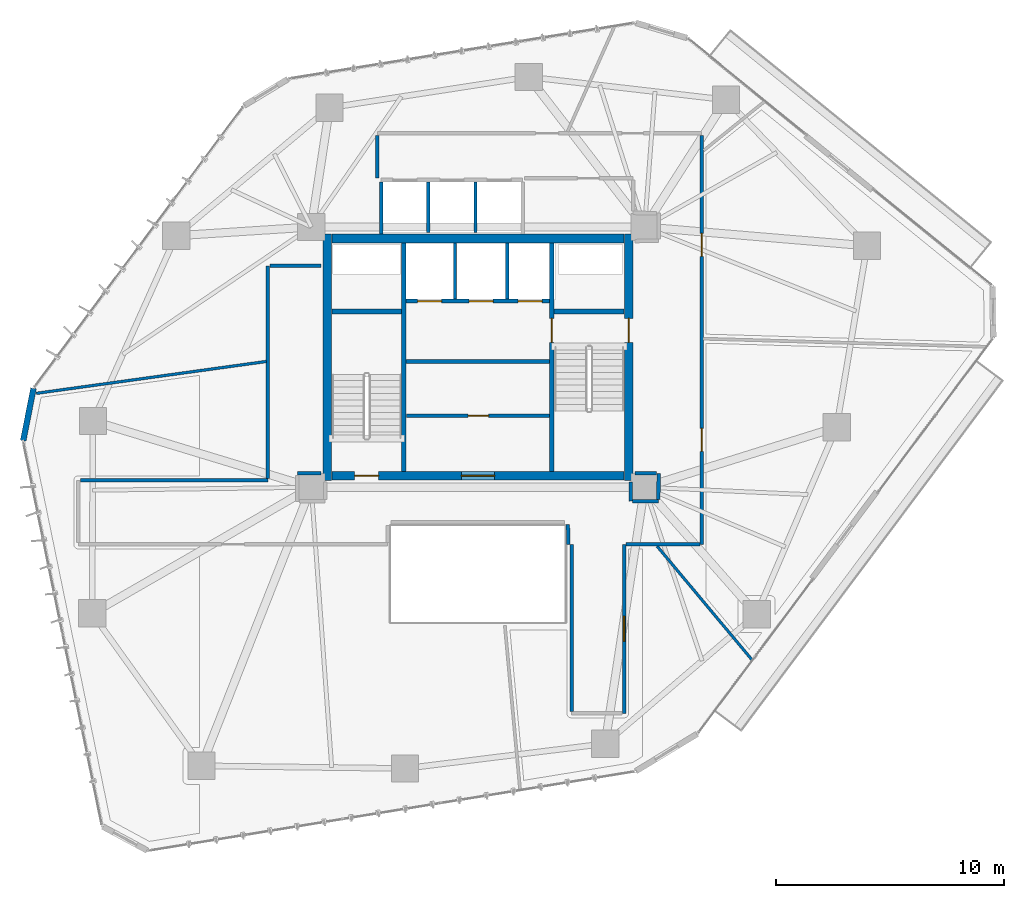
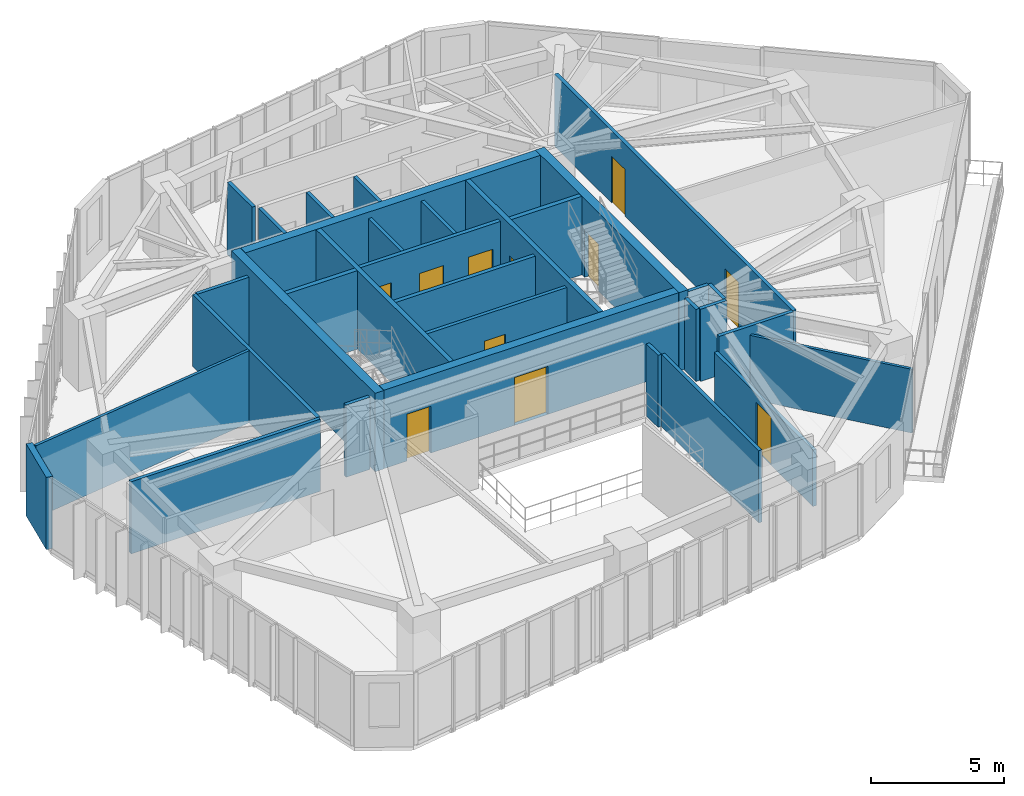
# One storey, part 18 of 23: 33 walls, 11 doors, 11 openings.
"""IFC4 building model written with IfcOpenShell, lengths in metres."""

import ifcopenshell
import ifcopenshell.guid

model = None  # the IFC model being written
_history = None  # IfcOwnerHistory: only IFC2X3 demands one
_inside = {}  # id of a spatial element -> (the spatial element, [elements in it])
_under = {}  # id of a project, library or spatial element -> (it, [spatial elements below it])
_declared = {}  # id of a project -> (the project, [libraries it declares])
_typed = {}  # id of a type object -> (the type object, [elements of that type])
_made_of = {}  # id of a material, layer set ... -> (it, [elements and type objects made of it])


def new_model(schema):
    """Start an empty IFC model of exactly this schema.

    Asked for "IFC4X3", IfcOpenShell would pick the latest addendum, in which some entities
    have other attributes; the version numbers below select the first issue.
    IFC2X3 requires an IfcOwnerHistory on every rooted entity: one is made here for all.
    """
    global model, _history
    if schema == "IFC4X3":
        model = ifcopenshell.file(schema_version=(4, 3, 0, 0))
    else:
        model = ifcopenshell.file(schema=schema)
    _inside.clear()
    _under.clear()
    _declared.clear()
    _typed.clear()
    _made_of.clear()
    _history = None
    if model.schema == "IFC2X3":
        org = make("IfcOrganization", Name="unknown")
        user = make(
            "IfcPersonAndOrganization",
            ThePerson=make("IfcPerson", FamilyName="unknown"),
            TheOrganization=org,
        )
        app = make(
            "IfcApplication",
            ApplicationDeveloper=org,
            Version="unknown",
            ApplicationFullName="unknown",
            ApplicationIdentifier="unknown",
        )
        _history = make(
            "IfcOwnerHistory",
            OwningUser=user,
            OwningApplication=app,
            ChangeAction="ADDED",
            CreationDate=0,
        )
    return model


def make(cls, **values):
    """One entity of the class cls with the attributes given. An attribute that is None is left unset."""
    return model.create_entity(
        cls, **{name: value for name, value in values.items() if value is not None}
    )


def rooted(cls, **values):
    """An entity with a GlobalId (a new one), such as an element, a storey or a relation."""
    return make(cls, GlobalId=ifcopenshell.guid.new(), OwnerHistory=_history, **values)


def si_unit(unit_type, name, prefix=None):
    """IfcSIUnit, for example si_unit("LENGTHUNIT", "METRE", prefix="MILLI")."""
    return make("IfcSIUnit", UnitType=unit_type, Prefix=prefix, Name=name)


def assignment(units):
    """IfcUnitAssignment: the units of a project."""
    return None if units is None else make("IfcUnitAssignment", Units=units)


def point(xyz):
    """IfcCartesianPoint."""
    return None if xyz is None else make("IfcCartesianPoint", Coordinates=xyz)


def direction(xyz):
    """IfcDirection."""
    return None if xyz is None else make("IfcDirection", DirectionRatios=xyz)


def frame(location, z_axis=None, x_axis=None):
    """IfcAxis2Placement3D, a coordinate frame: its origin and axes. An axis left out is left unset."""
    return make(
        "IfcAxis2Placement3D",
        Location=point(location),
        Axis=direction(z_axis),
        RefDirection=direction(x_axis),
    )


def frame_2d(location, x_axis=None):
    """IfcAxis2Placement2D, a coordinate frame in the plane: its origin and x axis."""
    return make(
        "IfcAxis2Placement2D", Location=point(location), RefDirection=direction(x_axis)
    )


def origin():
    """The frame at (0, 0, 0) with its axes left unset."""
    return frame((0.0, 0.0, 0.0))


def place(relative_to, where):
    """IfcLocalPlacement: puts the frame where relative to a parent placement (None: the world)."""
    return make(
        "IfcLocalPlacement", PlacementRelTo=relative_to, RelativePlacement=where
    )


def context(
    kind, dimensions, precision=None, world=None, true_north=None, identifier=None
):
    """IfcGeometricRepresentationContext, for example the 3D "Model" context."""
    return make(
        "IfcGeometricRepresentationContext",
        ContextIdentifier=identifier,
        ContextType=kind,
        CoordinateSpaceDimension=dimensions,
        Precision=precision,
        WorldCoordinateSystem=world,
        TrueNorth=true_north,
    )


def subcontext(parent, identifier, kind, view, scale=None):
    """IfcGeometricRepresentationSubContext, for example "Body" below "Model"."""
    return make(
        "IfcGeometricRepresentationSubContext",
        ContextIdentifier=identifier,
        ContextType=kind,
        ParentContext=parent,
        TargetScale=scale,
        TargetView=view,
    )


def project(units=None, contexts=None):
    """IfcProject with its units and contexts."""
    return rooted(
        "IfcProject",
        Name="project",
        RepresentationContexts=contexts,
        UnitsInContext=assignment(units),
    )


def spatial(cls, under=None, at=None, **own):
    """A site, building, storey or space (cls), placed at a placement, below another one or the project."""
    s = rooted(cls, ObjectPlacement=at, **own)
    if under is not None:
        _under.setdefault(under.id(), (under, []))[1].append(s)
    return s


def profile(cls, at=None, kind="AREA", **sizes):
    """A parametric profile (cls). Its sizes go by their IFC names, for example OverallWidth=200.0."""
    return make(cls, ProfileType=kind, Position=at, **sizes)


def rectangle(**sizes):
    """IfcRectangleProfileDef."""
    return profile("IfcRectangleProfileDef", **sizes)


def extrude(swept, where, along, depth):
    """IfcExtrudedAreaSolid: the profile swept, set in the frame where, extruded along a direction by depth."""
    return make(
        "IfcExtrudedAreaSolid",
        SweptArea=swept,
        Position=where,
        ExtrudedDirection=direction(along),
        Depth=depth,
    )


def shape(context_of_items, identifier, shape_type, items):
    """IfcShapeRepresentation: the items that make up one representation, for example the "Body"."""
    return make(
        "IfcShapeRepresentation",
        ContextOfItems=context_of_items,
        RepresentationIdentifier=identifier,
        RepresentationType=shape_type,
        Items=items,
    )


def source(mapping_origin, context_of_items, identifier, shape_type, items):
    """IfcRepresentationMap: a shape defined once, which mapped items show again and again."""
    return make(
        "IfcRepresentationMap",
        MappingOrigin=mapping_origin,
        MappedRepresentation=shape(context_of_items, identifier, shape_type, items),
    )


def transform(
    local_origin,
    x_axis=None,
    y_axis=None,
    z_axis=None,
    scale=None,
    scale2=None,
    scale3=None,
    uniform=True,
):
    """IfcCartesianTransformationOperator3D, or its non-uniform kind. x_axis, y_axis, z_axis: its Axis1, 2, 3."""
    if uniform:
        return make(
            "IfcCartesianTransformationOperator3D",
            Axis1=direction(x_axis),
            Axis2=direction(y_axis),
            LocalOrigin=point(local_origin),
            Scale=scale,
            Axis3=direction(z_axis),
        )
    return make(
        "IfcCartesianTransformationOperator3DnonUniform",
        Axis1=direction(x_axis),
        Axis2=direction(y_axis),
        LocalOrigin=point(local_origin),
        Scale=scale,
        Axis3=direction(z_axis),
        Scale2=scale2,
        Scale3=scale3,
    )


def mapped(mapping_source, mapping_target):
    """IfcMappedItem: shows the shape of a source again, moved by a transform."""
    return make(
        "IfcMappedItem", MappingSource=mapping_source, MappingTarget=mapping_target
    )


def material(Name=None, Category=None):
    """IfcMaterial."""
    return make("IfcMaterial", Name=Name, Category=Category)


def layer(
    of_material, thickness, ventilated=None, Name=None, Category=None, Priority=None
):
    """IfcMaterialLayer: one layer of a wall or slab, of a material (None: an air gap)."""
    return make(
        "IfcMaterialLayer",
        Material=of_material,
        LayerThickness=thickness,
        IsVentilated=ventilated,
        Name=Name,
        Category=Category,
        Priority=Priority,
    )


def layer_set(layers, Name=None):
    """IfcMaterialLayerSet."""
    return make("IfcMaterialLayerSet", MaterialLayers=layers, LayerSetName=Name)


def made_of(thing, what):
    """Note that an element or type object is made of a material, layer set ...; save() writes the relation."""
    if what is not None:
        _made_of.setdefault(what.id(), (what, []))[1].append(thing)
    return thing


def type_object(cls, material=None, **own):
    """A type object (cls), such as IfcWallType, which elements share."""
    return made_of(rooted(cls, **own), material)


def type_shapes(of_type, sources):
    """Give a type object the sources (RepresentationMaps) that its elements show as mapped items."""
    of_type.RepresentationMaps = sources


def element(
    cls,
    number,
    at=None,
    inside=None,
    cuts=None,
    type_object=None,
    material=None,
    context=None,
    identifier="Body",
    shape_type=None,
    held_by="IfcProductDefinitionShape",
    body=None,
    shapes=None,
    **own,
):
    """One element of the class cls, such as IfcWall. Its Tag is "e" and its number.

    at: its placement. inside: the storey or other place that contains it. cuts: it is an
    opening in that element (IfcRelVoidsElement). A single representation is given by context,
    identifier, shape_type and body (its items); several are given by shapes. held_by: the class
    of the entity that holds the representations. save() writes the other relations.
    """
    e = rooted(cls, Tag="e%d" % number, ObjectPlacement=at, **own)
    if body is not None:
        shapes = [shape(context, identifier, shape_type, body)]
    if shapes is not None:
        e.Representation = make(held_by, Representations=shapes)
    if inside is not None:
        _inside.setdefault(inside.id(), (inside, []))[1].append(e)
    if cuts is not None:
        rooted(
            "IfcRelVoidsElement", RelatingBuildingElement=cuts, RelatedOpeningElement=e
        )
    if type_object is not None:
        _typed.setdefault(type_object.id(), (type_object, []))[1].append(e)
    return made_of(e, material)


def fill(opening, filler):
    """IfcRelFillsElement: the door or window that sits in an opening."""
    return rooted(
        "IfcRelFillsElement",
        RelatingOpeningElement=opening,
        RelatedBuildingElement=filler,
    )


def aggregate(whole, parts):
    """IfcRelAggregates: a whole, such as a stair, and the parts it consists of."""
    return rooted("IfcRelAggregates", RelatingObject=whole, RelatedObjects=parts)


def save(model, path):
    """Write the relations noted so far, then the file.

    IfcRelAggregates (storeys below a building ...), IfcRelContainedInSpatialStructure (elements
    in a storey), IfcRelDefinesByType, IfcRelAssociatesMaterial and IfcRelDeclares: one each for
    every whole, place, type object, material and project.
    """
    for whole, parts in _under.values():
        aggregate(whole, parts)
    for where, things in _inside.values():
        rooted(
            "IfcRelContainedInSpatialStructure",
            RelatedElements=things,
            RelatingStructure=where,
        )
    for kind, things in _typed.values():
        rooted("IfcRelDefinesByType", RelatedObjects=things, RelatingType=kind)
    for what, things in _made_of.values():
        rooted("IfcRelAssociatesMaterial", RelatedObjects=things, RelatingMaterial=what)
    for by, libraries in _declared.values():
        rooted("IfcRelDeclares", RelatingContext=by, RelatedDefinitions=libraries)
    model.write(path)


model = new_model("IFC4")

# Units and contexts
model_context = context("Model", 3, precision=1e-05, world=origin(), true_north=direction((0.0, 1.0)))
body_context = subcontext(model_context, "Body", "Model", "MODEL_VIEW")
ifc_project = project(units=[si_unit("LENGTHUNIT", "METRE"), si_unit("AREAUNIT", "SQUARE_METRE"), si_unit("VOLUMEUNIT", "CUBIC_METRE"), si_unit("PLANEANGLEUNIT", "RADIAN"), si_unit("MASSUNIT", "GRAM", prefix="KILO")], contexts=[model_context])

# Site, building, storey
site_placement = place(None, origin())
site = spatial("IfcSite", under=ifc_project, at=site_placement, CompositionType="ELEMENT")
building_placement = place(site_placement, origin())
building = spatial("IfcBuilding", under=site, at=building_placement, Name="Talar Marvaseh", CompositionType="ELEMENT")
storey_placement = place(building_placement, frame((0.0, 0.0, 118.199951171875)))
storey = spatial("IfcBuildingStorey", under=building, at=storey_placement, Name="L30", CompositionType="ELEMENT", Elevation=118.199951171875)

# Wall
ifc_material_1 = material(Name="Precast concrete C45/55", Category="concrete")
ifc_layer_1 = layer(ifc_material_1, 0.2548828125)
ifc_layer_set_1 = layer_set([ifc_layer_1], Name="Precast concrete C45/55")
wall_type_1 = type_object("IfcWallType", Name="Chamfered Hexagonal Corner Pier Wall Z2 255", PredefinedType="SOLIDWALL", material=ifc_layer_set_1)
wall_1_placement = place(storey_placement, frame((6.082763671875, 27.539306640625, 0.0), z_axis=(0.0, 0.0, 1.0), x_axis=(0.192845725608, 0.981229089517, 0.0)))
element("IfcWall", 1, at=wall_1_placement, inside=storey, type_object=wall_type_1, Name="L30 Chamfered Corner Limestone Pier 2", PredefinedType="SOLIDWALL", context=body_context, shape_type="SweptSolid", body=[
    extrude(rectangle(XDim=2.3408203125, YDim=0.2548828125, at=frame_2d((1.17041015625, 0.0))), origin(), (0.0, 0.0, 1.0), 3.31005859375),
])

# Wall, opening, door
ifc_material_2 = material(Name="Gypsum Board Partition Assembly")
ifc_layer_2 = layer(ifc_material_2, 0.155029296875)
ifc_layer_set_2 = layer_set([ifc_layer_2], Name="Gypsum Board Partition Assembly")
wall_type_2 = type_object("IfcWallType", Name="Corridor Fire-Rated Acoustic Partition 155", PredefinedType="PARTITIONING", material=ifc_layer_set_2)
wall_2_placement = place(storey_placement, frame((22.865966796875, 28.639892578125, 0.0), z_axis=(0.0, 0.0, 1.0), x_axis=(1.0, 0.0, 0.0)))
wall_2 = element("IfcWall", 2, at=wall_2_placement, inside=storey, type_object=wall_type_2, Name="L30 Core BOH Partition", PredefinedType="PARTITIONING", context=body_context, shape_type="SweptSolid", body=[
    extrude(rectangle(XDim=6.26806640625, YDim=0.155029296875, at=frame_2d((3.134033203125, 0.0))), origin(), (0.0, 0.0, 1.0), 3.31005859375),
])
opening_1_placement = place(wall_2_placement, frame((2.699951171875, 0.0, 0.0)))
opening_1 = element("IfcOpeningElement", 3, at=opening_1_placement, cuts=wall_2, Name="Opening DR-BOH090", PredefinedType="OPENING", context=body_context, shape_type="SweptSolid", body=[
    extrude(rectangle(XDim=0.89990234375, YDim=2.10009765625, at=frame_2d((0.449951171875, 1.050048828125))), frame((0.0, 0.08740234375, 0.0), z_axis=(0.0, -1.0, 0.0), x_axis=(1.0, 0.0, 0.0)), (0.0, 0.0, 1.0), 0.175048828125),
])
ifc_material_3 = material(Name="Fire-Rated Steel Door Leaf", Category="steel")
door_type_1 = type_object("IfcDoorType", Name="Core Back-of-House Service Door 900x2100", OperationType="NOTDEFINED", PredefinedType="DOOR", material=ifc_material_3)
shared_shape_1 = source(origin(), body_context, "Body", "SweptSolid", [
    extrude(rectangle(XDim=0.89990234375, YDim=2.10009765625, at=frame_2d((0.449951171875, 1.050048828125))), frame((0.0, 0.02490234375, 0.0), z_axis=(0.0, -1.0, 0.0), x_axis=(1.0, 0.0, 0.0)), (0.0, 0.0, 1.0), 0.050048828125),
])
type_shapes(door_type_1, [shared_shape_1])
door_1_placement = place(opening_1_placement, origin())
door_1 = element("IfcDoor", 4, at=door_1_placement, inside=storey, type_object=door_type_1, Name="L30 Store Core Central Archive Door", OperationType="SINGLE_SWING_LEFT", OverallHeight=2.10009765625, OverallWidth=0.89990234375, PredefinedType="DOOR", context=body_context, shape_type="MappedRepresentation", body=[
    mapped(shared_shape_1, transform((0.0, 0.0, 0.0), x_axis=(1.0, 0.0, 0.0), y_axis=(0.0, 1.0, 0.0), z_axis=(0.0, 0.0, 1.0), scale=1.0)),
])
fill(opening_1, door_1)

# Wall, openings, doors
wall_3_placement = place(storey_placement, frame((35.800048828125, 40.91650390625, 0.0), z_axis=(0.0, 0.0, 1.0), x_axis=(0.0, -1.0, 0.0)))
wall_3 = element("IfcWall", 5, at=wall_3_placement, inside=storey, type_object=wall_type_2, Name="L30 Interior Partition Wall", PredefinedType="PARTITIONING", context=body_context, shape_type="SweptSolid", body=[
    extrude(rectangle(XDim=17.91650390625, YDim=0.155029296875, at=frame_2d((8.958251953125, 0.0))), origin(), (0.0, 0.0, 1.0), 3.31005859375),
])
opening_2_placement = place(wall_3_placement, frame((12.83984375, 0.0, 0.0)))
opening_2 = element("IfcOpeningElement", 6, at=opening_2_placement, cuts=wall_3, Name="Opening DR-RM100", PredefinedType="OPENING", context=body_context, shape_type="SweptSolid", body=[
    extrude(rectangle(XDim=1.0, YDim=2.14990234375, at=frame_2d((0.5, 1.074951171875))), frame((0.0, 0.08740234375, 0.0), z_axis=(0.0, -1.0, 0.0), x_axis=(1.0, 0.0, 0.0)), (0.0, 0.0, 1.0), 0.175048828125),
])
opening_3_placement = place(wall_3_placement, frame((4.29833984375, 0.0, 0.0)))
opening_3 = element("IfcOpeningElement", 7, at=opening_3_placement, cuts=wall_3, Name="Opening DR-RM100", PredefinedType="OPENING", context=body_context, shape_type="SweptSolid", body=[
    extrude(rectangle(XDim=1.0, YDim=2.14990234375, at=frame_2d((0.5, 1.074951171875))), frame((0.0, 0.08740234375, 0.0), z_axis=(0.0, -1.0, 0.0), x_axis=(1.0, 0.0, 0.0)), (0.0, 0.0, 1.0), 0.175048828125),
])
ifc_material_4 = material(Name="Acoustic Engineered Oak Timber", Category="wood")
door_type_2 = type_object("IfcDoorType", Name="Corridor Fire-Rated Gallery Door 1000x2150", OperationType="NOTDEFINED", PredefinedType="DOOR", material=ifc_material_4)
shared_shape_2 = source(origin(), body_context, "Body", "SweptSolid", [
    extrude(rectangle(XDim=1.0, YDim=2.14990234375, at=frame_2d((0.5, 1.074951171875))), frame((0.0, 0.02490234375, 0.0), z_axis=(0.0, -1.0, 0.0), x_axis=(1.0, 0.0, 0.0)), (0.0, 0.0, 1.0), 0.050048828125),
])
type_shapes(door_type_2, [shared_shape_2])
door_2_placement = place(opening_2_placement, origin())
door_2 = element("IfcDoor", 8, at=door_2_placement, inside=storey, type_object=door_type_2, Name="L30 Archival Research Office Door", OperationType="SINGLE_SWING_LEFT", OverallHeight=2.14990234375, OverallWidth=1.0, PredefinedType="DOOR", context=body_context, shape_type="MappedRepresentation", body=[
    mapped(shared_shape_2, transform((0.0, 0.0, 0.0), x_axis=(1.0, 0.0, 0.0), y_axis=(0.0, 1.0, 0.0), z_axis=(0.0, 0.0, 1.0), scale=1.0)),
])
fill(opening_2, door_2)
door_3_placement = place(opening_3_placement, origin())
door_3 = element("IfcDoor", 9, at=door_3_placement, inside=storey, type_object=door_type_2, Name="L30 Visitor Orientation Foyer Door", OperationType="SINGLE_SWING_RIGHT", OverallHeight=2.14990234375, OverallWidth=1.0, PredefinedType="DOOR", context=body_context, shape_type="MappedRepresentation", body=[
    mapped(shared_shape_2, transform((0.0, 0.0, 0.0), x_axis=(1.0, 0.0, 0.0), y_axis=(0.0, 1.0, 0.0), z_axis=(0.0, 0.0, 1.0), scale=1.0)),
])
fill(opening_3, door_3)

# Wall, opening, door
wall_4_placement = place(storey_placement, frame((32.39990234375, 23.0, 0.0), z_axis=(0.0, 0.0, 1.0), x_axis=(0.0, -1.0, 0.0)))
wall_4 = element("IfcWall", 10, at=wall_4_placement, inside=storey, type_object=wall_type_2, Name="L30 Interior Partition Wall", PredefinedType="PARTITIONING", context=body_context, shape_type="SweptSolid", body=[
    extrude(rectangle(XDim=7.39990234375, YDim=0.155029296875, at=frame_2d((3.699951171875, 0.0))), origin(), (0.0, 0.0, 1.0), 2.590087890625),
])
opening_4_placement = place(wall_4_placement, frame((3.14990234375, 0.0, 0.0)))
opening_4 = element("IfcOpeningElement", 11, at=opening_4_placement, cuts=wall_4, Name="Opening DR-RM110", PredefinedType="OPENING", context=body_context, shape_type="SweptSolid", body=[
    extrude(rectangle(XDim=1.10009765625, YDim=2.199951171875, at=frame_2d((0.550048828125, 1.10009765625))), frame((0.0, 0.08740234375, 0.0), z_axis=(0.0, -1.0, 0.0), x_axis=(1.0, 0.0, 0.0)), (0.0, 0.0, 1.0), 0.175048828125),
])
door_type_3 = type_object("IfcDoorType", Name="Assembly and Reading Hall Door 1100x2200", OperationType="NOTDEFINED", PredefinedType="DOOR", material=ifc_material_4)
shared_shape_3 = source(origin(), body_context, "Body", "SweptSolid", [
    extrude(rectangle(XDim=1.10009765625, YDim=2.199951171875, at=frame_2d((0.550048828125, 1.10009765625))), frame((0.0, 0.02490234375, 0.0), z_axis=(0.0, -1.0, 0.0), x_axis=(1.0, 0.0, 0.0)), (0.0, 0.0, 1.0), 0.050048828125),
])
type_shapes(door_type_3, [shared_shape_3])
door_4_placement = place(opening_4_placement, origin())
door_4 = element("IfcDoor", 12, at=door_4_placement, inside=storey, type_object=door_type_3, Name="L30 Gallery Concierge Reception Door", OperationType="SINGLE_SWING_RIGHT", OverallHeight=2.199951171875, OverallWidth=1.10009765625, PredefinedType="DOOR", context=body_context, shape_type="MappedRepresentation", body=[
    mapped(shared_shape_3, transform((0.0, 0.0, 0.0), x_axis=(1.0, 0.0, 0.0), y_axis=(0.0, 1.0, 0.0), z_axis=(0.0, 0.0, 1.0), scale=1.0)),
])
fill(opening_4, door_4)

# Walls
wall_5_placement = place(storey_placement, frame((8.58349609375, 25.800048828125, 0.0), z_axis=(0.0, 0.0, 1.0), x_axis=(1.0, 0.0, 0.0)))
element("IfcWall", 13, at=wall_5_placement, inside=storey, type_object=wall_type_2, Name="L30 Interior Partition Wall", PredefinedType="PARTITIONING", context=body_context, shape_type="SweptSolid", body=[
    extrude(rectangle(XDim=8.216552734375, YDim=0.155029296875, at=frame_2d((4.1083984375, 0.0))), origin(), (0.0, 0.0, 1.0), 3.31005859375),
])
wall_6_placement = place(storey_placement, frame((16.800048828125, 25.883544921875, 0.0), z_axis=(0.0, 0.0, 1.0), x_axis=(0.0, 1.0, 0.0)))
element("IfcWall", 14, at=wall_6_placement, inside=storey, type_object=wall_type_2, Name="L30 Interior Partition Wall", PredefinedType="PARTITIONING", context=body_context, shape_type="SweptSolid", body=[
    extrude(rectangle(XDim=9.31640625, YDim=0.155029296875, at=frame_2d((4.658203125, 0.0))), origin(), (0.0, 0.0, 1.0), 3.31005859375),
])
wall_7_placement = place(storey_placement, frame((16.883544921875, 35.199951171875, 0.0), z_axis=(0.0, 0.0, 1.0), x_axis=(1.0, 0.0, 0.0)))
element("IfcWall", 15, at=wall_7_placement, inside=storey, type_object=wall_type_2, Name="L30 Interior Partition Wall", PredefinedType="PARTITIONING", context=body_context, shape_type="SweptSolid", body=[
    extrude(rectangle(XDim=2.246337890625, YDim=0.155029296875, at=frame_2d((1.123046875, 0.0))), origin(), (0.0, 0.0, 1.0), 3.31005859375),
])
wall_8_placement = place(storey_placement, frame((19.1298828125, 26.114990234375, 0.0), z_axis=(0.0, 0.0, 1.0), x_axis=(-0.999986702653, -0.005156987215, 0.0)))
element("IfcWall", 16, at=wall_8_placement, inside=storey, type_object=wall_type_2, Name="L30 Interior Partition Wall", PredefinedType="PARTITIONING", context=body_context, shape_type="SweptSolid", body=[
    extrude(rectangle(XDim=1.04150390625, YDim=0.155029296875, at=frame_2d((0.520751953125, 0.0))), origin(), (0.0, 0.0, 1.0), 3.31005859375),
])
wall_9_placement = place(storey_placement, frame((32.68505859375, 25.72998046875, 0.0), z_axis=(0.0, 0.0, 1.0), x_axis=(0.006382231486, -0.999979633353, 0.0)))
element("IfcWall", 17, at=wall_9_placement, inside=storey, type_object=wall_type_2, Name="L30 Interior Partition Wall", PredefinedType="PARTITIONING", context=body_context, shape_type="SweptSolid", body=[
    extrude(rectangle(XDim=0.841552734375, YDim=0.155029296875, at=frame_2d((0.4208984375, 0.0))), origin(), (0.0, 0.0, 1.0), 3.31005859375),
])
wall_10_placement = place(storey_placement, frame((32.77392578125, 24.88818359375, 0.0), z_axis=(0.0, 0.0, 1.0), x_axis=(0.999999164303, -0.001292823742, 0.0)))
element("IfcWall", 18, at=wall_10_placement, inside=storey, type_object=wall_type_2, Name="L30 Interior Partition Wall", PredefinedType="PARTITIONING", context=body_context, shape_type="SweptSolid", body=[
    extrude(rectangle(XDim=1.133056640625, YDim=0.155029296875, at=frame_2d((0.56640625, 0.0))), origin(), (0.0, 0.0, 1.0), 3.31005859375),
])
wall_11_placement = place(storey_placement, frame((33.907470703125, 24.97021484375, 0.0), z_axis=(0.0, 0.0, 1.0), x_axis=(0.003642572792, 0.99999336581, 0.0)))
element("IfcWall", 19, at=wall_11_placement, inside=storey, type_object=wall_type_2, Name="L30 Interior Partition Wall", PredefinedType="PARTITIONING", context=body_context, shape_type="SweptSolid", body=[
    extrude(rectangle(XDim=1.139404296875, YDim=0.155029296875, at=frame_2d((0.56982421875, 0.0))), origin(), (0.0, 0.0, 1.0), 3.31005859375),
])
wall_12_placement = place(storey_placement, frame((33.828125, 26.110107421875, 0.0), z_axis=(0.0, 0.0, 1.0), x_axis=(-0.999987011364, 0.005096773758, 0.0)))
element("IfcWall", 20, at=wall_12_placement, inside=storey, type_object=wall_type_2, Name="L30 Interior Partition Wall", PredefinedType="PARTITIONING", context=body_context, shape_type="SweptSolid", body=[
    extrude(rectangle(XDim=0.9580078125, YDim=0.155029296875, at=frame_2d((0.47900390625, 0.0))), origin(), (0.0, 0.0, 1.0), 3.31005859375),
])
wall_13_placement = place(storey_placement, frame((21.60009765625, 39.0400390625, 0.0), z_axis=(0.0, 0.0, 1.0), x_axis=(0.0, 1.0, 0.0)))
element("IfcWall", 21, at=wall_13_placement, inside=storey, type_object=wall_type_2, Name="L30 Interior Partition Wall", PredefinedType="PARTITIONING", context=body_context, shape_type="SweptSolid", body=[
    extrude(rectangle(XDim=1.87646484375, YDim=0.155029296875, at=frame_2d((0.938232421875, 0.0))), origin(), (0.0, 0.0, 1.0), 3.31005859375),
])
wall_14_placement = place(storey_placement, frame((35.716552734375, 23.0, 0.0), z_axis=(0.0, 0.0, 1.0), x_axis=(-1.0, 0.0, 0.0)))
element("IfcWall", 22, at=wall_14_placement, inside=storey, type_object=wall_type_2, Name="L30 Interior Partition Wall", PredefinedType="PARTITIONING", context=body_context, shape_type="SweptSolid", body=[
    extrude(rectangle(XDim=3.233154296875, YDim=0.155029296875, at=frame_2d((1.61669921875, 0.0))), origin(), (0.0, 0.0, 1.0), 3.31005859375),
])
wall_15_placement = place(storey_placement, frame((30.10009765625, 15.68359375, 0.0), z_axis=(0.0, 0.0, 1.0), x_axis=(0.0, 1.0, 0.0)))
element("IfcWall", 23, at=wall_15_placement, inside=storey, type_object=wall_type_2, Name="L30 Interior Partition Wall", PredefinedType="PARTITIONING", context=body_context, shape_type="SweptSolid", body=[
    extrude(rectangle(XDim=7.31640625, YDim=0.155029296875, at=frame_2d((3.658203125, 0.0))), origin(), (0.0, 0.0, 1.0), 3.31005859375),
])
wall_16_placement = place(storey_placement, frame((29.9599609375, 23.0, 0.0), z_axis=(0.0, 0.0, 1.0), x_axis=(-0.021467444279, 0.999769547864, 0.0)))
element("IfcWall", 24, at=wall_16_placement, inside=storey, type_object=wall_type_2, Name="L30 Interior Partition Wall", PredefinedType="PARTITIONING", context=body_context, shape_type="SweptSolid", body=[
    extrude(rectangle(XDim=0.875732421875, YDim=0.155029296875, at=frame_2d((0.43798828125, 0.0))), origin(), (0.0, 0.0, 1.0), 3.31005859375),
])
ifc_layer_3 = layer(ifc_material_2, 0.1201171875)
ifc_layer_set_3 = layer_set([ifc_layer_3], Name="Gypsum Board Partition Assembly")
wall_type_3 = type_object("IfcWallType", Name="Demountable Studio Room Partition 120", PredefinedType="PARTITIONING", material=ifc_layer_set_3)
wall_17_placement = place(storey_placement, frame((6.654296875, 29.61376953125, 0.0), z_axis=(0.0, 0.0, 1.0), x_axis=(0.990531909148, 0.137282689949, 0.0)))
element("IfcWall", 25, at=wall_17_placement, inside=storey, type_object=wall_type_3, Name="L30 Interior Partition Wall", PredefinedType="PARTITIONING", context=body_context, shape_type="SweptSolid", body=[
    extrude(rectangle(XDim=10.177734375, YDim=0.1201171875, at=frame_2d((5.0888671875, 0.0))), origin(), (0.0, 0.0, 1.0), 3.31005859375),
])
wall_18_placement = place(storey_placement, frame((33.849853515625, 22.91650390625, 0.0), z_axis=(0.0, 0.0, 1.0), x_axis=(0.641098432869, -0.767458662973, 0.0)))
element("IfcWall", 26, at=wall_18_placement, inside=storey, type_object=wall_type_3, Name="L30 Interior Partition Wall", PredefinedType="PARTITIONING", context=body_context, shape_type="SweptSolid", body=[
    extrude(rectangle(XDim=6.486083984375, YDim=0.1201171875, at=frame_2d((3.2431640625, 0.0))), origin(), (0.0, 0.0, 1.0), 2.927001953125),
])
ifc_layer_4 = layer(ifc_material_1, 0.14501953125)
ifc_layer_set_4 = layer_set([ifc_layer_4], Name="Precast concrete C45/55")
wall_type_4 = type_object("IfcWallType", Name="Fire-Rated Lift Divider Wall 145", PredefinedType="SOLIDWALL", material=ifc_layer_set_4)
for number, where, z_axis, x_axis, name in (
    (27, (25.0, 33.743408203125, 0.0), (0.0, 0.0, 1.0), (0.0, 1.0, 0.0), "L30 FFL-1/FFL-2 Divider"),
    (28, (27.280029296875, 33.743408203125, 0.0), (0.0, 0.0, 1.0), (0.0, 1.0, 0.0), "L30 FFL-2/SVL-1 Divider"),
):
    element("IfcWall", number, at=place(storey_placement, frame(where, z_axis=z_axis, x_axis=x_axis)), inside=storey, type_object=wall_type_4, Name=name, PredefinedType="SOLIDWALL", context=body_context, shape_type="SweptSolid", body=[
        extrude(rectangle(XDim=2.45654296875, YDim=0.14501953125, at=frame_2d((1.228271484375, 0.0))), origin(), (0.0, 0.0, 1.0), 3.31005859375),
    ])
wall_19_placement = place(storey_placement, frame((21.760009765625, 36.60009765625, 0.0), z_axis=(0.0, 0.0, 1.0), x_axis=(0.0, 1.0, 0.0)))
element("IfcWall", 29, at=wall_19_placement, inside=storey, type_object=wall_type_4, Name="L30 Low-Rise Bank West Wall", PredefinedType="SOLIDWALL", context=body_context, shape_type="SweptSolid", body=[
    extrude(rectangle(XDim=2.266357421875, YDim=0.14501953125, at=frame_2d((1.13330078125, 0.0))), origin(), (0.0, 0.0, 1.0), 3.31005859375),
])
for number, where, z_axis, x_axis, name in (
    (30, (23.830078125, 36.659912109375, 0.0), (0.0, 0.0, 1.0), (0.0, 1.0, 0.0), "L30 PL-L1/PL-L2 Divider"),
    (31, (25.889892578125, 36.659912109375, 0.0), (0.0, 0.0, 1.0), (0.0, 1.0, 0.0), "L30 PL-L2/PL-L3 Divider"),
):
    element("IfcWall", number, at=place(storey_placement, frame(where, z_axis=z_axis, x_axis=x_axis)), inside=storey, type_object=wall_type_4, Name=name, PredefinedType="SOLIDWALL", context=body_context, shape_type="SweptSolid", body=[
        extrude(rectangle(XDim=2.20654296875, YDim=0.14501953125, at=frame_2d((1.103271484375, 0.0))), origin(), (0.0, 0.0, 1.0), 3.31005859375),
    ])

# Wall, openings, doors
ifc_layer_5 = layer(ifc_material_1, 0.175048828125)
ifc_layer_set_5 = layer_set([ifc_layer_5], Name="Precast concrete C45/55")
wall_type_5 = type_object("IfcWallType", Name="Fire-Rated Lift Hoistway Enclosure Wall 175", PredefinedType="SOLIDWALL", material=ifc_layer_set_5)
wall_20_placement = place(storey_placement, frame((22.860107421875, 33.64990234375, 0.0), z_axis=(0.0, 0.0, 1.0), x_axis=(1.0, 0.0, 0.0)))
wall_20 = element("IfcWall", 32, at=wall_20_placement, inside=storey, type_object=wall_type_5, Name="L30 Firefighting and Service Lift Front Wall", PredefinedType="SOLIDWALL", context=body_context, shape_type="SweptSolid", body=[
    extrude(rectangle(XDim=6.27978515625, YDim=0.175048828125, at=frame_2d((3.139892578125, 0.0))), origin(), (0.0, 0.0, 1.0), 3.31005859375),
])
opening_5_placement = place(wall_20_placement, frame((0.5, 0.0, 0.0)))
opening_5 = element("IfcOpeningElement", 33, at=opening_5_placement, cuts=wall_20, Name="Opening LD-FF1", PredefinedType="OPENING", context=body_context, shape_type="SweptSolid", body=[
    extrude(rectangle(XDim=1.050048828125, YDim=2.14990234375, at=frame_2d((0.52490234375, 1.074951171875))), frame((0.0, 0.09765625, 0.0), z_axis=(0.0, -1.0, 0.0), x_axis=(1.0, 0.0, 0.0)), (0.0, 0.0, 1.0), 0.195068359375),
])
opening_6_placement = place(wall_20_placement, frame((2.760009765625, 0.0, 0.0)))
opening_6 = element("IfcOpeningElement", 34, at=opening_6_placement, cuts=wall_20, Name="Opening LD-FF2", PredefinedType="OPENING", context=body_context, shape_type="SweptSolid", body=[
    extrude(rectangle(XDim=1.050048828125, YDim=2.14990234375, at=frame_2d((0.52490234375, 1.074951171875))), frame((0.0, 0.09765625, 0.0), z_axis=(0.0, -1.0, 0.0), x_axis=(1.0, 0.0, 0.0)), (0.0, 0.0, 1.0), 0.195068359375),
])
opening_7_placement = place(wall_20_placement, frame((4.89990234375, 0.0, 0.0)))
opening_7 = element("IfcOpeningElement", 35, at=opening_7_placement, cuts=wall_20, Name="Opening LD-SV1", PredefinedType="OPENING", context=body_context, shape_type="SweptSolid", body=[
    extrude(rectangle(XDim=1.050048828125, YDim=2.14990234375, at=frame_2d((0.52490234375, 1.074951171875))), frame((0.0, 0.09765625, 0.0), z_axis=(0.0, -1.0, 0.0), x_axis=(1.0, 0.0, 0.0)), (0.0, 0.0, 1.0), 0.195068359375),
])
ifc_material_5 = material(Name="Stainless Steel Grade 316", Category="steel")
door_type_4 = type_object("IfcDoorType", Name="Automatic Sliding Lift Landing Door 1050x2150", OperationType="NOTDEFINED", PredefinedType="DOOR", material=ifc_material_5)
shared_shape_4 = source(origin(), body_context, "Body", "SweptSolid", [
    extrude(rectangle(XDim=1.050048828125, YDim=2.14990234375, at=frame_2d((0.52490234375, 1.074951171875))), frame((0.0, 0.02490234375, 0.0), z_axis=(0.0, -1.0, 0.0), x_axis=(1.0, 0.0, 0.0)), (0.0, 0.0, 1.0), 0.050048828125),
])
type_shapes(door_type_4, [shared_shape_4])
door_5_placement = place(opening_5_placement, origin())
door_5 = element("IfcDoor", 36, at=door_5_placement, inside=storey, type_object=door_type_4, Name="L30 Lift FFL-1 Sliding Landing Door", OperationType="SLIDING_TO_LEFT", OverallHeight=2.14990234375, OverallWidth=1.050048828125, PredefinedType="DOOR", context=body_context, shape_type="MappedRepresentation", body=[
    mapped(shared_shape_4, transform((0.0, 0.0, 0.0), x_axis=(1.0, 0.0, 0.0), y_axis=(0.0, 1.0, 0.0), z_axis=(0.0, 0.0, 1.0), scale=1.0)),
])
fill(opening_5, door_5)
door_6_placement = place(opening_6_placement, origin())
door_6 = element("IfcDoor", 37, at=door_6_placement, inside=storey, type_object=door_type_4, Name="L30 Lift FFL-2 Sliding Landing Door", OperationType="SLIDING_TO_LEFT", OverallHeight=2.14990234375, OverallWidth=1.050048828125, PredefinedType="DOOR", context=body_context, shape_type="MappedRepresentation", body=[
    mapped(shared_shape_4, transform((0.0, 0.0, 0.0), x_axis=(1.0, 0.0, 0.0), y_axis=(0.0, 1.0, 0.0), z_axis=(0.0, 0.0, 1.0), scale=1.0)),
])
fill(opening_6, door_6)
door_7_placement = place(opening_7_placement, origin())
door_7 = element("IfcDoor", 38, at=door_7_placement, inside=storey, type_object=door_type_4, Name="L30 Lift SVL-1 Sliding Landing Door", OperationType="SLIDING_TO_LEFT", OverallHeight=2.14990234375, OverallWidth=1.050048828125, PredefinedType="DOOR", context=body_context, shape_type="MappedRepresentation", body=[
    mapped(shared_shape_4, transform((0.0, 0.0, 0.0), x_axis=(1.0, 0.0, 0.0), y_axis=(0.0, 1.0, 0.0), z_axis=(0.0, 0.0, 1.0), scale=1.0)),
])
fill(opening_7, door_7)

# Walls
wall_21_placement = place(storey_placement, frame((22.860107421875, 31.02001953125, 0.0), z_axis=(0.0, 0.0, 1.0), x_axis=(1.0, 0.0, 0.0)))
element("IfcWall", 39, at=wall_21_placement, inside=storey, type_object=wall_type_5, Name="L30 Firefighting Lobby South Smoke Wall", PredefinedType="SOLIDWALL", context=body_context, shape_type="SweptSolid", body=[
    extrude(rectangle(XDim=6.27978515625, YDim=0.175048828125, at=frame_2d((3.139892578125, 0.0))), origin(), (0.0, 0.0, 1.0), 3.31005859375),
])
ifc_material_6 = material(Name="Concrete C60/75", Category="concrete")
ifc_layer_6 = layer(ifc_material_6, 0.3798828125)
ifc_layer_set_6 = layer_set([ifc_layer_6], Name="Concrete C60/75")
wall_type_6 = type_object("IfcWallType", Name="Mid Core Reinforced Concrete Shear Wall 380", PredefinedType="SHEAR", material=ifc_layer_set_6)
wall_22_placement = place(storey_placement, frame((19.39990234375, 25.800048828125, 0.0), z_axis=(0.0, 0.0, 1.0), x_axis=(0.0, 1.0, 0.0)))
element("IfcWall", 40, at=wall_22_placement, inside=storey, type_object=wall_type_6, Name="L30 West Core Shear Wall", PredefinedType="SHEAR", context=body_context, shape_type="SweptSolid", body=[
    extrude(rectangle(XDim=10.800048828125, YDim=0.3798828125, at=frame_2d((5.39990234375, 0.0))), origin(), (0.0, 0.0, 1.0), 3.60009765625),
])

# Wall, opening, door
wall_23_placement = place(storey_placement, frame((32.60009765625, 36.60009765625, 0.0), z_axis=(0.0, 0.0, 1.0), x_axis=(0.0, -1.0, 0.0)))
wall_23 = element("IfcWall", 41, at=wall_23_placement, inside=storey, type_object=wall_type_6, Name="L30 East Core Shear Wall", PredefinedType="SHEAR", context=body_context, shape_type="SweptSolid", body=[
    extrude(rectangle(XDim=10.800048828125, YDim=0.3798828125, at=frame_2d((5.39990234375, 0.0))), origin(), (0.0, 0.0, 1.0), 3.60009765625),
])
opening_8_placement = place(wall_23_placement, frame((3.699951171875, 0.0, 0.0)))
opening_8 = element("IfcOpeningElement", 42, at=opening_8_placement, cuts=wall_23, Name="Opening DR-ST105", PredefinedType="OPENING", context=body_context, shape_type="SweptSolid", body=[
    extrude(rectangle(XDim=1.050048828125, YDim=2.14990234375, at=frame_2d((0.52490234375, 1.074951171875))), frame((0.0, 0.199951171875, 0.0), z_axis=(0.0, -1.0, 0.0), x_axis=(1.0, 0.0, 0.0)), (0.0, 0.0, 1.0), 0.39990234375),
])
door_type_5 = type_object("IfcDoorType", Name="Protected Exit Stair Fire Door 1050x2150", OperationType="NOTDEFINED", PredefinedType="DOOR", material=ifc_material_3)
shared_shape_5 = source(origin(), body_context, "Body", "SweptSolid", [
    extrude(rectangle(XDim=1.050048828125, YDim=2.14990234375, at=frame_2d((0.52490234375, 1.074951171875))), frame((0.0, 0.02490234375, 0.0), z_axis=(0.0, -1.0, 0.0), x_axis=(1.0, 0.0, 0.0)), (0.0, 0.0, 1.0), 0.050048828125),
])
type_shapes(door_type_5, [shared_shape_5])
door_8_placement = place(opening_8_placement, origin())
door_8 = element("IfcDoor", 43, at=door_8_placement, inside=storey, type_object=door_type_5, Name="L30 Stair ST-2 Corridor Exit Door", OperationType="SINGLE_SWING_LEFT", OverallHeight=2.14990234375, OverallWidth=1.050048828125, PredefinedType="DOOR", context=body_context, shape_type="MappedRepresentation", body=[
    mapped(shared_shape_5, transform((0.0, 0.0, 0.0), x_axis=(1.0, 0.0, 0.0), y_axis=(0.0, 1.0, 0.0), z_axis=(0.0, 0.0, 1.0), scale=1.0)),
])
fill(opening_8, door_8)

# Wall
wall_24_placement = place(storey_placement, frame((19.60009765625, 36.39990234375, 0.0), z_axis=(0.0, 0.0, 1.0), x_axis=(1.0, 0.0, 0.0)))
element("IfcWall", 44, at=wall_24_placement, inside=storey, type_object=wall_type_6, Name="L30 North Core Shear Wall", PredefinedType="SHEAR", context=body_context, shape_type="SweptSolid", body=[
    extrude(rectangle(XDim=12.7998046875, YDim=0.3798828125, at=frame_2d((6.39990234375, 0.0))), origin(), (0.0, 0.0, 1.0), 3.60009765625),
])

# Wall, openings, doors
wall_25_placement = place(storey_placement, frame((32.39990234375, 26.0, 0.0), z_axis=(0.0, 0.0, 1.0), x_axis=(-1.0, 0.0, 0.0)))
wall_25 = element("IfcWall", 45, at=wall_25_placement, inside=storey, type_object=wall_type_6, Name="L30 South Core Shear Wall", PredefinedType="SHEAR", context=body_context, shape_type="SweptSolid", body=[
    extrude(rectangle(XDim=12.7998046875, YDim=0.3798828125, at=frame_2d((6.39990234375, 0.0))), origin(), (0.0, 0.0, 1.0), 3.60009765625),
])
opening_9_placement = place(wall_25_placement, frame((10.75, 0.0, 0.0)))
opening_9 = element("IfcOpeningElement", 46, at=opening_9_placement, cuts=wall_25, Name="Opening DR-ST105", PredefinedType="OPENING", context=body_context, shape_type="SweptSolid", body=[
    extrude(rectangle(XDim=1.050048828125, YDim=2.14990234375, at=frame_2d((0.52490234375, 1.074951171875))), frame((0.0, 0.199951171875, 0.0), z_axis=(0.0, -1.0, 0.0), x_axis=(1.0, 0.0, 0.0)), (0.0, 0.0, 1.0), 0.39990234375),
])
opening_10_placement = place(wall_25_placement, frame((5.669921875, 0.0, 0.0)))
opening_10 = element("IfcOpeningElement", 47, at=opening_10_placement, cuts=wall_25, Name="Opening DR-LBY145", PredefinedType="OPENING", context=body_context, shape_type="SweptSolid", body=[
    extrude(rectangle(XDim=1.449951171875, YDim=2.199951171875, at=frame_2d((0.72509765625, 1.10009765625))), frame((0.0, 0.199951171875, 0.0), z_axis=(0.0, -1.0, 0.0), x_axis=(1.0, 0.0, 0.0)), (0.0, 0.0, 1.0), 0.39990234375),
])
door_9_placement = place(opening_9_placement, origin())
door_9 = element("IfcDoor", 48, at=door_9_placement, inside=storey, type_object=door_type_5, Name="L30 Stair ST-1 Exit Door", OperationType="SINGLE_SWING_RIGHT", OverallHeight=2.14990234375, OverallWidth=1.050048828125, PredefinedType="DOOR", context=body_context, shape_type="MappedRepresentation", body=[
    mapped(shared_shape_5, transform((0.0, 0.0, 0.0), x_axis=(1.0, 0.0, 0.0), y_axis=(0.0, 1.0, 0.0), z_axis=(0.0, 0.0, 1.0), scale=1.0)),
])
fill(opening_9, door_9)
door_type_6 = type_object("IfcDoorType", Name="Core Lift Lobby Double Smoke Door 1450x2200", OperationType="NOTDEFINED", PredefinedType="DOOR", material=ifc_material_3)
shared_shape_6 = source(origin(), body_context, "Body", "SweptSolid", [
    extrude(rectangle(XDim=1.449951171875, YDim=2.199951171875, at=frame_2d((0.72509765625, 1.10009765625))), frame((0.0, 0.02490234375, 0.0), z_axis=(0.0, -1.0, 0.0), x_axis=(1.0, 0.0, 0.0)), (0.0, 0.0, 1.0), 0.050048828125),
])
type_shapes(door_type_6, [shared_shape_6])
door_10_placement = place(opening_10_placement, origin())
door_10 = element("IfcDoor", 49, at=door_10_placement, inside=storey, type_object=door_type_6, Name="L30 Passenger Lift Lobby Entrance Door", OperationType="DOUBLE_DOOR_SINGLE_SWING", OverallHeight=2.199951171875, OverallWidth=1.449951171875, PredefinedType="DOOR", context=body_context, shape_type="MappedRepresentation", body=[
    mapped(shared_shape_6, transform((0.0, 0.0, 0.0), x_axis=(1.0, 0.0, 0.0), y_axis=(0.0, 1.0, 0.0), z_axis=(0.0, 0.0, 1.0), scale=1.0)),
])
fill(opening_10, door_10)

# Wall
ifc_material_7 = material(Name="Concrete C50/60", Category="concrete")
ifc_layer_7 = layer(ifc_material_7, 0.199951171875)
ifc_layer_set_7 = layer_set([ifc_layer_7], Name="Concrete C50/60")
wall_type_7 = type_object("IfcWallType", Name="Stair Shaft Structural Concrete Shear Wall 200", PredefinedType="SHEAR", material=ifc_layer_set_7)
wall_26_placement = place(storey_placement, frame((22.760009765625, 26.199951171875, 0.0), z_axis=(0.0, 0.0, 1.0), x_axis=(0.0, 1.0, 0.0)))
element("IfcWall", 50, at=wall_26_placement, inside=storey, type_object=wall_type_7, Name="L30 Core West Stair Shear Wall", PredefinedType="SHEAR", context=body_context, shape_type="SweptSolid", body=[
    extrude(rectangle(XDim=10.0, YDim=0.199951171875, at=frame_2d((5.0, 0.0))), origin(), (0.0, 0.0, 1.0), 3.60009765625),
])

# Wall, opening, door
wall_27_placement = place(storey_placement, frame((29.239990234375, 26.199951171875, 0.0), z_axis=(0.0, 0.0, 1.0), x_axis=(0.0, 1.0, 0.0)))
wall_27 = element("IfcWall", 51, at=wall_27_placement, inside=storey, type_object=wall_type_7, Name="L30 Core East Stair Shear Wall", PredefinedType="SHEAR", context=body_context, shape_type="SweptSolid", body=[
    extrude(rectangle(XDim=10.0, YDim=0.199951171875, at=frame_2d((5.0, 0.0))), origin(), (0.0, 0.0, 1.0), 3.60009765625),
])
opening_11_placement = place(wall_27_placement, frame((5.64990234375, 0.0, 0.0)))
opening_11 = element("IfcOpeningElement", 52, at=opening_11_placement, cuts=wall_27, Name="Opening DR-ST105", PredefinedType="OPENING", context=body_context, shape_type="SweptSolid", body=[
    extrude(rectangle(XDim=1.050048828125, YDim=2.14990234375, at=frame_2d((0.52490234375, 1.074951171875))), frame((0.0, 0.10986328125, 0.0), z_axis=(0.0, -1.0, 0.0), x_axis=(1.0, 0.0, 0.0)), (0.0, 0.0, 1.0), 0.219970703125),
])
door_11_placement = place(opening_11_placement, origin())
door_11 = element("IfcDoor", 53, at=door_11_placement, inside=storey, type_object=door_type_5, Name="L30 Firefighting Lobby to Stair ST-2 Door", OperationType="SINGLE_SWING_LEFT", OverallHeight=2.14990234375, OverallWidth=1.050048828125, PredefinedType="DOOR", context=body_context, shape_type="MappedRepresentation", body=[
    mapped(shared_shape_5, transform((0.0, 0.0, 0.0), x_axis=(1.0, 0.0, 0.0), y_axis=(0.0, 1.0, 0.0), z_axis=(0.0, 0.0, 1.0), scale=1.0)),
])
fill(opening_11, door_11)

# Walls
for number, where, z_axis, x_axis, name in (
    (54, (19.60009765625, 33.199951171875, 0.0), (0.0, 0.0, 1.0), (1.0, 0.0, 0.0), "L30 Stair ST-1 North Shear Wall"),
    (55, (29.340087890625, 33.199951171875, 0.0), (0.0, 0.0, 1.0), (1.0, 0.0, 0.0), "L30 Stair ST-2 North Shear Wall"),
):
    element("IfcWall", number, at=place(storey_placement, frame(where, z_axis=z_axis, x_axis=x_axis)), inside=storey, type_object=wall_type_7, Name=name, PredefinedType="SHEAR", context=body_context, shape_type="SweptSolid", body=[
        extrude(rectangle(XDim=3.059814453125, YDim=0.199951171875, at=frame_2d((1.52978515625, 0.0))), origin(), (0.0, 0.0, 1.0), 3.60009765625),
    ])

save(model, "model.ifc")
